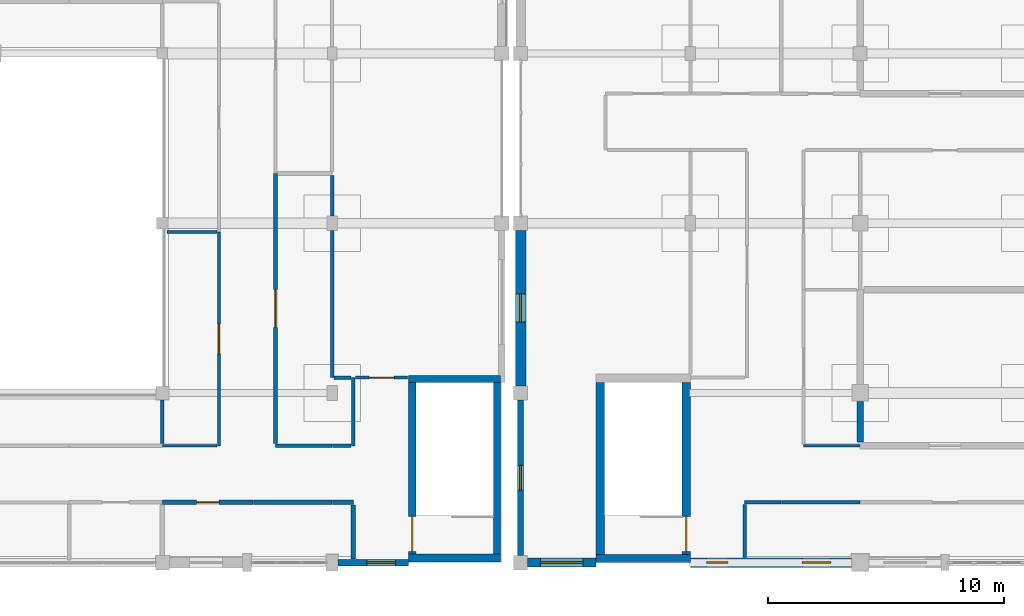
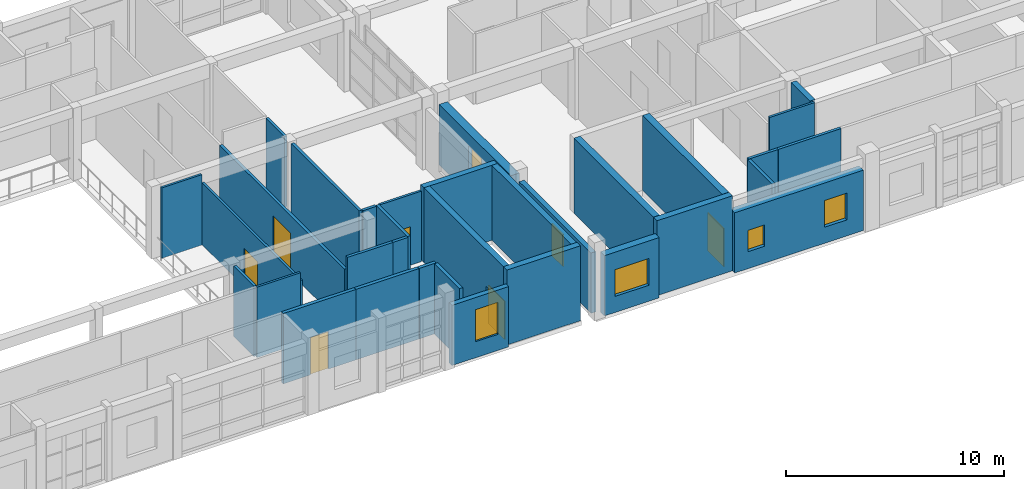
# One storey, part 78 of 110: 33 walls, 6 doors, 6 windows, 12 openings.
"""IFC4 building model written with IfcOpenShell, lengths in metres."""

from ifc_helpers import new_model, si_unit, direction, frame, frame_2d, origin, place, context, subcontext, project, spatial, rectangle, extrude, material, layer, layer_set, type_object, element, fill, save


model = new_model("IFC4")

# Units and contexts
model_context = context("Model", 3, precision=1e-05, world=origin(), true_north=direction((0.0, 1.0)))
body_context = subcontext(model_context, "Body", "Model", "MODEL_VIEW")
ifc_project = project(units=[si_unit("LENGTHUNIT", "METRE"), si_unit("AREAUNIT", "SQUARE_METRE"), si_unit("VOLUMEUNIT", "CUBIC_METRE"), si_unit("PLANEANGLEUNIT", "RADIAN"), si_unit("MASSUNIT", "GRAM", prefix="KILO")], contexts=[model_context])

# Site, building, storey
site_placement = place(None, origin())
site = spatial("IfcSite", under=ifc_project, at=site_placement, CompositionType="ELEMENT")
building_placement = place(site_placement, origin())
building = spatial("IfcBuilding", under=site, at=building_placement, Name="Steenspoor Specialist Clinic", CompositionType="ELEMENT")
storey_placement = place(building_placement, frame((0.0, 0.0, 4.800048828125)))
storey = spatial("IfcBuildingStorey", under=building, at=storey_placement, Name="L01", CompositionType="ELEMENT", Elevation=4.800048828125)

# Wall, opening, window
ifc_material_1 = material(Name="Extruded clay brick masonry", Category="masonry")
ifc_layer_1 = layer(ifc_material_1, 0.3798828125)
ifc_layer_set_1 = layer_set([ifc_layer_1], Name="Extruded clay brick masonry")
wall_type_1 = type_object("IfcWallType", Name="W-BRICK-380", PredefinedType="USERDEFINED", material=ifc_layer_set_1)
wall_1_placement = place(storey_placement, frame((121.199951171875, 13.050048828125, 0.0), z_axis=(0.0, 0.0, 1.0), x_axis=(-1.0, 0.0, 0.0)))
wall_1 = element("IfcWall", 1, at=wall_1_placement, inside=storey, type_object=wall_type_1, Name="Exterior Brick Wall EW-V2-L01-0061", ObjectType="CAVITY VENEER", PredefinedType="USERDEFINED", context=body_context, shape_type="SweptSolid", body=[
    extrude(rectangle(XDim=2.89990234375, YDim=0.3798828125, at=frame_2d((1.449951171875, 0.0))), origin(), (0.0, 0.0, 1.0), 3.3798828125),
])
opening_1_placement = place(wall_1_placement, frame((0.550048828125, 0.0, 0.89990234375)))
opening_1 = element("IfcOpeningElement", 2, at=opening_1_placement, cuts=wall_1, Name="Opening WN-13", PredefinedType="OPENING", context=body_context, shape_type="SweptSolid", body=[
    extrude(rectangle(XDim=1.800048828125, YDim=1.5, at=frame_2d((0.89990234375, 0.75))), frame((0.0, 0.199951171875, 0.0), z_axis=(0.0, -1.0, 0.0), x_axis=(1.0, 0.0, 0.0)), (0.0, 0.0, 1.0), 0.39990234375),
])
ifc_material_2 = material(Name="Thermally broken aluminium and low-emissivity glass", Category="aluminium")
window_type_1 = type_object("IfcWindowType", Name="WN-EXT-180X150", PartitioningType="SINGLE_PANEL", PredefinedType="WINDOW", material=ifc_material_2)
window_1_placement = place(opening_1_placement, origin())
window_1 = element("IfcWindow", 3, at=window_1_placement, inside=storey, type_object=window_type_1, Name="Window 0074", OverallHeight=1.5, OverallWidth=1.800048828125, PartitioningType="SINGLE_PANEL", PredefinedType="WINDOW", context=body_context, shape_type="SweptSolid", body=[
    extrude(rectangle(XDim=1.800048828125, YDim=1.5, at=frame_2d((0.89990234375, 0.75))), frame((0.0, 0.030029296875, 0.0), z_axis=(0.0, -1.0, 0.0), x_axis=(1.0, 0.0, 0.0)), (0.0, 0.0, 1.0), 0.06005859375),
])
fill(opening_1, window_1)

# Wall, openings, windows
ifc_layer_2 = layer(ifc_material_1, 0.409912109375)
ifc_layer_set_2 = layer_set([ifc_layer_2], Name="Extruded clay brick masonry")
wall_type_2 = type_object("IfcWallType", Name="W-BRICK-410", PredefinedType="USERDEFINED", material=ifc_layer_set_2)
wall_2_placement = place(storey_placement, frame((132.02490234375, 13.050048828125, 0.0), z_axis=(0.0, 0.0, 1.0), x_axis=(-1.0, 0.0, 0.0)))
wall_2 = element("IfcWall", 4, at=wall_2_placement, inside=storey, type_object=wall_type_2, Name="Exterior Brick Wall EW-V2-L01-0060", ObjectType="CAVITY VENEER", PredefinedType="USERDEFINED", context=body_context, shape_type="SweptSolid", body=[
    extrude(rectangle(XDim=6.824951171875, YDim=0.409912109375, at=frame_2d((3.41259765625, 0.0))), origin(), (0.0, 0.0, 1.0), 3.3798828125),
])
opening_2_placement = place(wall_2_placement, frame((0.87744140625, 0.0, 0.89990234375)))
opening_2 = element("IfcOpeningElement", 5, at=opening_2_placement, cuts=wall_2, Name="Opening WN-11", PredefinedType="OPENING", context=body_context, shape_type="SweptSolid", body=[
    extrude(rectangle(XDim=1.199951171875, YDim=1.5, at=frame_2d((0.60009765625, 0.75))), frame((0.0, 0.21484375, 0.0), z_axis=(0.0, -1.0, 0.0), x_axis=(1.0, 0.0, 0.0)), (0.0, 0.0, 1.0), 0.429931640625),
])
opening_3_placement = place(wall_2_placement, frame((5.235107421875, 0.0, 0.949951171875)))
opening_3 = element("IfcOpeningElement", 6, at=opening_3_placement, cuts=wall_2, Name="Opening WN-21", PredefinedType="OPENING", context=body_context, shape_type="SweptSolid", body=[
    extrude(rectangle(XDim=0.89990234375, YDim=1.199951171875, at=frame_2d((0.449951171875, 0.60009765625))), frame((0.0, 0.21484375, 0.0), z_axis=(0.0, -1.0, 0.0), x_axis=(1.0, 0.0, 0.0)), (0.0, 0.0, 1.0), 0.429931640625),
])
window_type_2 = type_object("IfcWindowType", Name="WN-EXT-090X120", PartitioningType="SINGLE_PANEL", PredefinedType="WINDOW", material=ifc_material_2)
window_2_placement = place(opening_3_placement, origin())
window_2 = element("IfcWindow", 7, at=window_2_placement, inside=storey, type_object=window_type_2, Name="Window 0073", OverallHeight=1.199951171875, OverallWidth=0.89990234375, PartitioningType="SINGLE_PANEL", PredefinedType="WINDOW", context=body_context, shape_type="SweptSolid", body=[
    extrude(rectangle(XDim=0.89990234375, YDim=1.199951171875, at=frame_2d((0.449951171875, 0.60009765625))), frame((0.0, 0.030029296875, 0.0), z_axis=(0.0, -1.0, 0.0), x_axis=(1.0, 0.0, 0.0)), (0.0, 0.0, 1.0), 0.06005859375),
])
fill(opening_3, window_2)
window_type_3 = type_object("IfcWindowType", Name="WN-EXT-120X150", PartitioningType="SINGLE_PANEL", PredefinedType="WINDOW", material=ifc_material_2)
window_3_placement = place(opening_2_placement, origin())
window_3 = element("IfcWindow", 8, at=window_3_placement, inside=storey, type_object=window_type_3, Name="Window 0072", OverallHeight=1.5, OverallWidth=1.199951171875, PartitioningType="SINGLE_PANEL", PredefinedType="WINDOW", context=body_context, shape_type="SweptSolid", body=[
    extrude(rectangle(XDim=1.199951171875, YDim=1.5, at=frame_2d((0.60009765625, 0.75))), frame((0.0, 0.030029296875, 0.0), z_axis=(0.0, -1.0, 0.0), x_axis=(1.0, 0.0, 0.0)), (0.0, 0.0, 1.0), 0.06005859375),
])
fill(opening_2, window_3)

# Wall, opening, window
ifc_layer_3 = layer(ifc_material_1, 0.43994140625)
ifc_layer_set_3 = layer_set([ifc_layer_3], Name="Extruded clay brick masonry")
wall_type_3 = type_object("IfcWallType", Name="W-BRICK-440", PredefinedType="USERDEFINED", material=ifc_layer_set_3)
wall_3_placement = place(storey_placement, frame((118.0, 20.550048828125, 0.0), z_axis=(0.0, 0.0, 1.0), x_axis=(0.0, 1.0, 0.0)))
wall_3 = element("IfcWall", 9, at=wall_3_placement, inside=storey, type_object=wall_type_3, Name="Exterior Brick Wall EW-V2-L01-0063", ObjectType="CAVITY VENEER", PredefinedType="USERDEFINED", context=body_context, shape_type="SweptSolid", body=[
    extrude(rectangle(XDim=6.599853515625, YDim=0.43994140625, at=frame_2d((3.2998046875, 0.0))), origin(), (0.0, 0.0, 1.0), 3.3798828125),
])
opening_4_placement = place(wall_3_placement, frame((2.699951171875, 0.0, 0.89990234375)))
opening_4 = element("IfcOpeningElement", 10, at=opening_4_placement, cuts=wall_3, Name="Opening WN-05", PredefinedType="OPENING", context=body_context, shape_type="SweptSolid", body=[
    extrude(rectangle(XDim=1.199951171875, YDim=1.800048828125, at=frame_2d((0.60009765625, 0.89990234375))), frame((0.0, 0.22998046875, 0.0), z_axis=(0.0, -1.0, 0.0), x_axis=(1.0, 0.0, 0.0)), (0.0, 0.0, 1.0), 0.4599609375),
])
window_type_4 = type_object("IfcWindowType", Name="WN-EXT-120X180", PartitioningType="SINGLE_PANEL", PredefinedType="WINDOW", material=ifc_material_2)
window_4_placement = place(opening_4_placement, origin())
window_4 = element("IfcWindow", 11, at=window_4_placement, inside=storey, type_object=window_type_4, Name="Window 0076", OverallHeight=1.800048828125, OverallWidth=1.199951171875, PartitioningType="SINGLE_PANEL", PredefinedType="WINDOW", context=body_context, shape_type="SweptSolid", body=[
    extrude(rectangle(XDim=1.199951171875, YDim=1.800048828125, at=frame_2d((0.60009765625, 0.89990234375))), frame((0.0, 0.030029296875, 0.0), z_axis=(0.0, -1.0, 0.0), x_axis=(1.0, 0.0, 0.0)), (0.0, 0.0, 1.0), 0.06005859375),
])
fill(opening_4, window_4)

# Wall
ifc_material_3 = material(Name="Gypsum acoustic clinical partition", Category="gypsum")
ifc_layer_4 = layer(ifc_material_3, 0.14990234375)
ifc_layer_set_4 = layer_set([ifc_layer_4], Name="Gypsum acoustic clinical partition")
wall_type_4 = type_object("IfcWallType", Name="W-CLIN-150", PredefinedType="PARTITIONING", material=ifc_layer_set_4)
wall_4_placement = place(storey_placement, frame((107.60009765625, 18.010009765625, 0.0), z_axis=(0.0, 0.0, 1.0), x_axis=(1.0, 0.0, 0.0)))
element("IfcWall", 12, at=wall_4_placement, inside=storey, type_object=wall_type_4, Name="Interior Partition IW-V1-L01-0799", PredefinedType="PARTITIONING", context=body_context, shape_type="SweptSolid", body=[
    extrude(rectangle(XDim=2.39990234375, YDim=0.14990234375, at=frame_2d((1.199951171875, 0.0))), origin(), (0.0, 0.0, 1.0), 3.949951171875),
])

# Wall, opening, door
wall_5_placement = place(storey_placement, frame((107.60009765625, 18.10009765625, 0.0), z_axis=(0.0, 0.0, 1.0), x_axis=(0.0, 1.0, 0.0)))
wall_5 = element("IfcWall", 13, at=wall_5_placement, inside=storey, type_object=wall_type_4, Name="Interior Partition IW-V1-L01-0800", PredefinedType="PARTITIONING", context=body_context, shape_type="SweptSolid", body=[
    extrude(rectangle(XDim=11.4599609375, YDim=0.14990234375, at=frame_2d((5.72998046875, 0.0))), origin(), (0.0, 0.0, 1.0), 3.219970703125),
])
opening_5_placement = place(wall_5_placement, frame((4.929931640625, 0.0, 0.0)))
opening_5 = element("IfcOpeningElement", 14, at=opening_5_placement, cuts=wall_5, Name="Opening D0063", PredefinedType="OPENING", context=body_context, shape_type="SweptSolid", body=[
    extrude(rectangle(XDim=1.60009765625, YDim=2.25, at=frame_2d((0.800048828125, 1.125))), frame((0.0, 0.0849609375, 0.0), z_axis=(0.0, -1.0, 0.0), x_axis=(1.0, 0.0, 0.0)), (0.0, 0.0, 1.0), 0.169921875),
])
ifc_material_4 = material(Name="Hygienic HPL clinical timber door", Category="wood")
door_type_1 = type_object("IfcDoorType", Name="DT-PROC-160X225", OperationType="NOTDEFINED", PredefinedType="DOOR", material=ifc_material_4)
door_1_placement = place(opening_5_placement, origin())
door_1 = element("IfcDoor", 15, at=door_1_placement, inside=storey, type_object=door_type_1, Name="Clinical Door D0063", OperationType="SINGLE_SWING_RIGHT", OverallHeight=2.25, OverallWidth=1.60009765625, PredefinedType="DOOR", context=body_context, shape_type="SweptSolid", body=[
    extrude(rectangle(XDim=1.60009765625, YDim=2.25, at=frame_2d((0.800048828125, 1.125))), frame((0.0, 0.02490234375, 0.0), z_axis=(0.0, -1.0, 0.0), x_axis=(1.0, 0.0, 0.0)), (0.0, 0.0, 1.0), 0.050048828125),
])
fill(opening_5, door_1)

# Walls
wall_6_placement = place(storey_placement, frame((110.89990234375, 18.010009765625, 0.0), z_axis=(0.0, 0.0, 1.0), x_axis=(0.0, 1.0, 0.0)))
element("IfcWall", 16, at=wall_6_placement, inside=storey, type_object=wall_type_4, Name="Interior Partition IW-V1-L01-0801", PredefinedType="PARTITIONING", context=body_context, shape_type="SweptSolid", body=[
    extrude(rectangle(XDim=2.889892578125, YDim=0.14990234375, at=frame_2d((1.44482421875, 0.0))), origin(), (0.0, 0.0, 1.0), 3.949951171875),
])
wall_7_placement = place(storey_placement, frame((110.014892578125, 18.010009765625, 0.0), z_axis=(0.0, 0.0, 1.0), x_axis=(1.0, 0.0, 0.0)))
element("IfcWall", 17, at=wall_7_placement, inside=storey, type_object=wall_type_4, Name="Interior Partition IW-V1-L01-0802", PredefinedType="PARTITIONING", context=body_context, shape_type="SweptSolid", body=[
    extrude(rectangle(XDim=0.795166015625, YDim=0.14990234375, at=frame_2d((0.3974609375, 0.0))), origin(), (0.0, 0.0, 1.0), 3.949951171875),
])
wall_8_placement = place(storey_placement, frame((127.5, 15.610107421875, 0.0), z_axis=(0.0, 0.0, 1.0), x_axis=(1.0, 0.0, 0.0)))
element("IfcWall", 18, at=wall_8_placement, inside=storey, type_object=wall_type_4, Name="Interior Partition IW-V2-L01-0863", PredefinedType="PARTITIONING", context=body_context, shape_type="SweptSolid", body=[
    extrude(rectangle(XDim=1.550048828125, YDim=0.14990234375, at=frame_2d((0.77490234375, 0.0))), origin(), (0.0, 0.0, 1.0), 3.949951171875),
])
wall_9_placement = place(storey_placement, frame((129.06494140625, 15.610107421875, 0.0), z_axis=(0.0, 0.0, 1.0), x_axis=(1.0, 0.0, 0.0)))
element("IfcWall", 19, at=wall_9_placement, inside=storey, type_object=wall_type_4, Name="Interior Partition IW-V2-L01-0864", PredefinedType="PARTITIONING", context=body_context, shape_type="SweptSolid", body=[
    extrude(rectangle(XDim=3.3349609375, YDim=0.14990234375, at=frame_2d((1.66748046875, 0.0))), origin(), (0.0, 0.0, 1.0), 3.949951171875),
])
wall_10_placement = place(storey_placement, frame((127.5, 13.27001953125, 0.0), z_axis=(0.0, 0.0, 1.0), x_axis=(0.0, 1.0, 0.0)))
element("IfcWall", 20, at=wall_10_placement, inside=storey, type_object=wall_type_4, Name="Interior Partition IW-V2-L01-0866", PredefinedType="PARTITIONING", context=body_context, shape_type="SweptSolid", body=[
    extrude(rectangle(XDim=2.25, YDim=0.14990234375, at=frame_2d((1.125, 0.0))), origin(), (0.0, 0.0, 1.0), 3.949951171875),
])
wall_11_placement = place(storey_placement, frame((110.0, 20.89990234375, 0.0), z_axis=(0.0, 0.0, 1.0), x_axis=(0.0, 1.0, 0.0)))
element("IfcWall", 21, at=wall_11_placement, inside=storey, type_object=wall_type_4, Name="Interior Partition IW-V1-L01-1135", PredefinedType="PARTITIONING", context=body_context, shape_type="SweptSolid", body=[
    extrude(rectangle(XDim=6.235107421875, YDim=0.14990234375, at=frame_2d((3.11767578125, 0.0))), origin(), (0.0, 0.0, 1.0), 3.949951171875),
])
wall_12_placement = place(storey_placement, frame((110.0, 27.764892578125, 0.0), z_axis=(0.0, 0.0, 1.0), x_axis=(0.0, 1.0, 0.0)))
element("IfcWall", 22, at=wall_12_placement, inside=storey, type_object=wall_type_4, Name="Interior Partition IW-V1-L01-1136", PredefinedType="PARTITIONING", context=body_context, shape_type="SweptSolid", body=[
    extrude(rectangle(XDim=1.705078125, YDim=0.14990234375, at=frame_2d((0.8525390625, 0.0))), origin(), (0.0, 0.0, 1.0), 3.949951171875),
])
wall_13_placement = place(storey_placement, frame((110.090087890625, 20.89990234375, 0.0), z_axis=(0.0, 0.0, 1.0), x_axis=(1.0, 0.0, 0.0)))
element("IfcWall", 23, at=wall_13_placement, inside=storey, type_object=wall_type_4, Name="Interior Partition IW-V1-L01-1137", PredefinedType="PARTITIONING", context=body_context, shape_type="SweptSolid", body=[
    extrude(rectangle(XDim=0.719970703125, YDim=0.14990234375, at=frame_2d((0.35986328125, 0.0))), origin(), (0.0, 0.0, 1.0), 3.949951171875),
])
wall_14_placement = place(storey_placement, frame((102.800048828125, 18.10009765625, 0.0), z_axis=(0.0, 0.0, 1.0), x_axis=(0.0, 1.0, 0.0)))
element("IfcWall", 24, at=wall_14_placement, inside=storey, type_object=wall_type_4, Name="Interior Partition IW-V1-L01-1158", PredefinedType="PARTITIONING", context=body_context, shape_type="SweptSolid", body=[
    extrude(rectangle(XDim=1.85986328125, YDim=0.14990234375, at=frame_2d((0.929931640625, 0.0))), origin(), (0.0, 0.0, 1.0), 3.949951171875),
])
ifc_material_5 = material(Name="Concrete C40/50", Category="concrete")
ifc_layer_5 = layer(ifc_material_5, 0.330078125)
ifc_layer_set_5 = layer_set([ifc_layer_5], Name="Concrete C40/50")
wall_type_5 = type_object("IfcWallType", Name="W-ESW-330", PredefinedType="SHEAR", material=ifc_layer_set_5)
wall_15_placement = place(storey_placement, frame((113.25, 13.25, 0.0), z_axis=(0.0, 0.0, 1.0), x_axis=(1.0, 0.0, 0.0)))
element("IfcWall", 25, at=wall_15_placement, inside=storey, type_object=wall_type_5, Name="Core Shear Wall SW-ST-V1B-L01-S", PredefinedType="SHEAR", context=body_context, shape_type="SweptSolid", body=[
    extrude(rectangle(XDim=3.89990234375, YDim=0.330078125, at=frame_2d((1.949951171875, 0.0))), origin(), (0.0, 0.0, 1.0), 4.199951171875),
])
wall_16_placement = place(storey_placement, frame((121.199951171875, 13.22509765625, 0.0), z_axis=(0.0, 0.0, 1.0), x_axis=(1.0, 0.0, 0.0)))
element("IfcWall", 26, at=wall_16_placement, inside=storey, type_object=wall_type_5, Name="Core Shear Wall SW-ST-V2A-L01-S", PredefinedType="SHEAR", context=body_context, shape_type="SweptSolid", body=[
    extrude(rectangle(XDim=4.0, YDim=0.330078125, at=frame_2d((2.0, 0.0))), origin(), (0.0, 0.0, 1.0), 4.199951171875),
])

# Wall, opening, door
ifc_material_6 = material(Name="Gypsum studio partition board", Category="gypsum")
ifc_layer_6 = layer(ifc_material_6, 0.1201171875)
ifc_layer_set_6 = layer_set([ifc_layer_6], Name="Gypsum studio partition board")
wall_type_6 = type_object("IfcWallType", Name="W-PART-120", PredefinedType="PARTITIONING", material=ifc_layer_set_6)
wall_17_placement = place(storey_placement, frame((105.199951171875, 18.010009765625, 0.0), z_axis=(0.0, 0.0, 1.0), x_axis=(0.0, 1.0, 0.0)))
wall_17 = element("IfcWall", 27, at=wall_17_placement, inside=storey, type_object=wall_type_6, Name="Interior Partition IW-V1-L01-0945", PredefinedType="PARTITIONING", context=body_context, shape_type="SweptSolid", body=[
    extrude(rectangle(XDim=9.070068359375, YDim=0.1201171875, at=frame_2d((4.53515625, 0.0))), origin(), (0.0, 0.0, 1.0), 3.469970703125),
])
opening_6_placement = place(wall_17_placement, frame((3.909912109375, 0.0, 0.0)))
opening_6 = element("IfcOpeningElement", 28, at=opening_6_placement, cuts=wall_17, Name="Opening D0062", PredefinedType="OPENING", context=body_context, shape_type="SweptSolid", body=[
    extrude(rectangle(XDim=1.25, YDim=2.14990234375, at=frame_2d((0.625, 1.074951171875))), frame((0.0, 0.070068359375, 0.0), z_axis=(0.0, -1.0, 0.0), x_axis=(1.0, 0.0, 0.0)), (0.0, 0.0, 1.0), 0.14013671875),
])
door_type_2 = type_object("IfcDoorType", Name="DT-EXAM-125X215", OperationType="NOTDEFINED", PredefinedType="DOOR", material=ifc_material_4)
door_2_placement = place(opening_6_placement, origin())
door_2 = element("IfcDoor", 29, at=door_2_placement, inside=storey, type_object=door_type_2, Name="Clinical Door D0062", OperationType="SINGLE_SWING_LEFT", OverallHeight=2.14990234375, OverallWidth=1.25, PredefinedType="DOOR", context=body_context, shape_type="SweptSolid", body=[
    extrude(rectangle(XDim=1.25, YDim=2.14990234375, at=frame_2d((0.625, 1.074951171875))), frame((0.0, 0.02490234375, 0.0), z_axis=(0.0, -1.0, 0.0), x_axis=(1.0, 0.0, 0.0)), (0.0, 0.0, 1.0), 0.050048828125),
])
fill(opening_6, door_2)

# Wall
wall_18_placement = place(storey_placement, frame((102.81494140625, 18.010009765625, 0.0), z_axis=(0.0, 0.0, 1.0), x_axis=(1.0, 0.0, 0.0)))
element("IfcWall", 30, at=wall_18_placement, inside=storey, type_object=wall_type_6, Name="Interior Partition IW-V1-L01-0946", PredefinedType="PARTITIONING", context=body_context, shape_type="SweptSolid", body=[
    extrude(rectangle(XDim=2.31005859375, YDim=0.1201171875, at=frame_2d((1.155029296875, 0.0))), origin(), (0.0, 0.0, 1.0), 3.949951171875),
])

# Wall, opening, door
wall_19_placement = place(storey_placement, frame((110.989990234375, 20.89990234375, 0.0), z_axis=(0.0, 0.0, 1.0), x_axis=(1.0, 0.0, 0.0)))
wall_19 = element("IfcWall", 31, at=wall_19_placement, inside=storey, type_object=wall_type_6, Name="Interior Partition IW-V1-L01-0947", PredefinedType="PARTITIONING", context=body_context, shape_type="SweptSolid", body=[
    extrude(rectangle(XDim=2.2099609375, YDim=0.1201171875, at=frame_2d((1.10498046875, 0.0))), origin(), (0.0, 0.0, 1.0), 3.949951171875),
])
opening_7_placement = place(wall_19_placement, frame((0.580078125, 0.0, 0.0)))
opening_7 = element("IfcOpeningElement", 32, at=opening_7_placement, cuts=wall_19, Name="Opening D0064", PredefinedType="OPENING", context=body_context, shape_type="SweptSolid", body=[
    extrude(rectangle(XDim=1.050048828125, YDim=2.14990234375, at=frame_2d((0.52490234375, 1.074951171875))), frame((0.0, 0.070068359375, 0.0), z_axis=(0.0, -1.0, 0.0), x_axis=(1.0, 0.0, 0.0)), (0.0, 0.0, 1.0), 0.14013671875),
])
ifc_material_7 = material(Name="Solid-core hardwood office door", Category="wood")
door_type_3 = type_object("IfcDoorType", Name="DT-OFF-105X215", OperationType="NOTDEFINED", PredefinedType="DOOR", material=ifc_material_7)
door_3_placement = place(opening_7_placement, origin())
door_3 = element("IfcDoor", 33, at=door_3_placement, inside=storey, type_object=door_type_3, Name="Clinical Door D0064", OperationType="SINGLE_SWING_LEFT", OverallHeight=2.14990234375, OverallWidth=1.050048828125, PredefinedType="DOOR", context=body_context, shape_type="SweptSolid", body=[
    extrude(rectangle(XDim=1.050048828125, YDim=2.14990234375, at=frame_2d((0.52490234375, 1.074951171875))), frame((0.0, 0.02490234375, 0.0), z_axis=(0.0, -1.0, 0.0), x_axis=(1.0, 0.0, 0.0)), (0.0, 0.0, 1.0), 0.050048828125),
])
fill(opening_7, door_3)

# Walls
wall_20_placement = place(storey_placement, frame((130.0, 18.010009765625, 0.0), z_axis=(0.0, 0.0, 1.0), x_axis=(1.0, 0.0, 0.0)))
element("IfcWall", 34, at=wall_20_placement, inside=storey, type_object=wall_type_6, Name="Interior Partition IW-V2-L01-0960", PredefinedType="PARTITIONING", context=body_context, shape_type="SweptSolid", body=[
    extrude(rectangle(XDim=2.385009765625, YDim=0.1201171875, at=frame_2d((1.1923828125, 0.0))), origin(), (0.0, 0.0, 1.0), 3.949951171875),
])
wall_21_placement = place(storey_placement, frame((103.0, 27.080078125, 0.0), z_axis=(0.0, 0.0, 1.0), x_axis=(1.0, 0.0, 0.0)))
element("IfcWall", 35, at=wall_21_placement, inside=storey, type_object=wall_type_6, Name="Interior Partition IW-V1-L01-1215", PredefinedType="PARTITIONING", context=body_context, shape_type="SweptSolid", body=[
    extrude(rectangle(XDim=2.125, YDim=0.1201171875, at=frame_2d((1.0625, 0.0))), origin(), (0.0, 0.0, 1.0), 3.949951171875),
])

# Wall, opening, door
ifc_material_8 = material(Name="Moisture-resistant gypsum plumbing wall", Category="gypsum")
ifc_layer_7 = layer(ifc_material_8, 0.179931640625)
ifc_layer_set_7 = layer_set([ifc_layer_7], Name="Moisture-resistant gypsum plumbing wall")
wall_type_7 = type_object("IfcWallType", Name="W-PLUMB-180", PredefinedType="PLUMBINGWALL", material=ifc_layer_set_7)
wall_22_placement = place(storey_placement, frame((102.800048828125, 15.610107421875, 0.0), z_axis=(0.0, 0.0, 1.0), x_axis=(1.0, 0.0, 0.0)))
wall_22 = element("IfcWall", 36, at=wall_22_placement, inside=storey, type_object=wall_type_7, Name="Interior Partition IW-V1-L01-0740", PredefinedType="PLUMBINGWALL", context=body_context, shape_type="SweptSolid", body=[
    extrude(rectangle(XDim=3.849853515625, YDim=0.179931640625, at=frame_2d((1.9248046875, 0.0))), origin(), (0.0, 0.0, 1.0), 3.949951171875),
])
opening_8_placement = place(wall_22_placement, frame((1.449951171875, 0.0, 0.0)))
opening_8 = element("IfcOpeningElement", 37, at=opening_8_placement, cuts=wall_22, Name="Opening D0058", PredefinedType="OPENING", context=body_context, shape_type="SweptSolid", body=[
    extrude(rectangle(XDim=0.949951171875, YDim=2.10009765625, at=frame_2d((0.47509765625, 1.050048828125))), frame((0.0, 0.10009765625, 0.0), z_axis=(0.0, -1.0, 0.0), x_axis=(1.0, 0.0, 0.0)), (0.0, 0.0, 1.0), 0.199951171875),
])
ifc_material_9 = material(Name="Moisture-resistant HPL sanitary door", Category="wood")
door_type_4 = type_object("IfcDoorType", Name="DT-WC-095X210", OperationType="NOTDEFINED", PredefinedType="DOOR", material=ifc_material_9)
door_4_placement = place(opening_8_placement, origin())
door_4 = element("IfcDoor", 38, at=door_4_placement, inside=storey, type_object=door_type_4, Name="Clinical Door D0058", OperationType="SINGLE_SWING_LEFT", OverallHeight=2.10009765625, OverallWidth=0.949951171875, PredefinedType="DOOR", context=body_context, shape_type="SweptSolid", body=[
    extrude(rectangle(XDim=0.949951171875, YDim=2.10009765625, at=frame_2d((0.47509765625, 1.050048828125))), frame((0.0, 0.02490234375, 0.0), z_axis=(0.0, -1.0, 0.0), x_axis=(1.0, 0.0, 0.0)), (0.0, 0.0, 1.0), 0.050048828125),
])
fill(opening_8, door_4)

# Walls
wall_23_placement = place(storey_placement, frame((106.6650390625, 15.610107421875, 0.0), z_axis=(0.0, 0.0, 1.0), x_axis=(1.0, 0.0, 0.0)))
element("IfcWall", 39, at=wall_23_placement, inside=storey, type_object=wall_type_7, Name="Interior Partition IW-V1-L01-0741", PredefinedType="PLUMBINGWALL", context=body_context, shape_type="SweptSolid", body=[
    extrude(rectangle(XDim=3.3349609375, YDim=0.179931640625, at=frame_2d((1.66748046875, 0.0))), origin(), (0.0, 0.0, 1.0), 3.949951171875),
])
wall_24_placement = place(storey_placement, frame((110.014892578125, 15.610107421875, 0.0), z_axis=(0.0, 0.0, 1.0), x_axis=(1.0, 0.0, 0.0)))
element("IfcWall", 40, at=wall_24_placement, inside=storey, type_object=wall_type_7, Name="Interior Partition IW-V1-L01-0742", PredefinedType="PLUMBINGWALL", context=body_context, shape_type="SweptSolid", body=[
    extrude(rectangle(XDim=0.885009765625, YDim=0.179931640625, at=frame_2d((0.4423828125, 0.0))), origin(), (0.0, 0.0, 1.0), 3.949951171875),
])
wall_25_placement = place(storey_placement, frame((110.89990234375, 13.199951171875, 0.0), z_axis=(0.0, 0.0, 1.0), x_axis=(0.0, 1.0, 0.0)))
element("IfcWall", 41, at=wall_25_placement, inside=storey, type_object=wall_type_7, Name="Interior Partition IW-V1-L01-0743", PredefinedType="PLUMBINGWALL", context=body_context, shape_type="SweptSolid", body=[
    extrude(rectangle(XDim=2.304931640625, YDim=0.179931640625, at=frame_2d((1.15234375, 0.0))), origin(), (0.0, 0.0, 1.0), 3.949951171875),
])
ifc_material_10 = material(Name="Lead-lined radiation brick partition", Category="masonry")
ifc_layer_8 = layer(ifc_material_10, 0.280029296875)
ifc_layer_set_8 = layer_set([ifc_layer_8], Name="Lead-lined radiation brick partition")
wall_type_8 = type_object("IfcWallType", Name="W-RAD-280", PredefinedType="PARTITIONING", material=ifc_layer_set_8)
wall_26_placement = place(storey_placement, frame((132.39990234375, 18.1650390625, 0.0), z_axis=(0.0, 0.0, 1.0), x_axis=(0.0, 1.0, 0.0)))
element("IfcWall", 42, at=wall_26_placement, inside=storey, type_object=wall_type_8, Name="Interior Partition IW-V2-L01-1028", PredefinedType="PARTITIONING", context=body_context, shape_type="SweptSolid", body=[
    extrude(rectangle(XDim=1.719970703125, YDim=0.280029296875, at=frame_2d((0.85986328125, 0.0))), origin(), (0.0, 0.0, 1.0), 3.949951171875),
])

# Wall, opening, window
ifc_layer_9 = layer(ifc_material_1, 0.260009765625)
ifc_layer_set_9 = layer_set([ifc_layer_9], Name="Extruded clay brick masonry")
wall_type_9 = type_object("IfcWallType", Name="W-SCREEN-260", PredefinedType="SOLIDWALL", material=ifc_layer_set_9)
wall_27_placement = place(storey_placement, frame((113.25, 13.050048828125, 0.0), z_axis=(0.0, 0.0, 1.0), x_axis=(-1.0, 0.0, 0.0)))
wall_27 = element("IfcWall", 43, at=wall_27_placement, inside=storey, type_object=wall_type_9, Name="Exterior Brick Wall EW-V1-L01-0018", PredefinedType="SOLIDWALL", context=body_context, shape_type="SweptSolid", body=[
    extrude(rectangle(XDim=3.0, YDim=0.260009765625, at=frame_2d((1.5, 0.0))), origin(), (0.0, 0.0, 1.0), 3.3798828125),
])
opening_9_placement = place(wall_27_placement, frame((0.56494140625, 0.0, 0.89990234375)))
opening_9 = element("IfcOpeningElement", 44, at=opening_9_placement, cuts=wall_27, Name="Opening WN-05", PredefinedType="OPENING", context=body_context, shape_type="SweptSolid", body=[
    extrude(rectangle(XDim=1.199951171875, YDim=1.800048828125, at=frame_2d((0.60009765625, 0.89990234375))), frame((0.0, 0.14013671875, 0.0), z_axis=(0.0, -1.0, 0.0), x_axis=(1.0, 0.0, 0.0)), (0.0, 0.0, 1.0), 0.280029296875),
])
window_5_placement = place(opening_9_placement, origin())
window_5 = element("IfcWindow", 45, at=window_5_placement, inside=storey, type_object=window_type_4, Name="Window 0020", OverallHeight=1.800048828125, OverallWidth=1.199951171875, PartitioningType="SINGLE_PANEL", PredefinedType="WINDOW", context=body_context, shape_type="SweptSolid", body=[
    extrude(rectangle(XDim=1.199951171875, YDim=1.800048828125, at=frame_2d((0.60009765625, 0.89990234375))), frame((0.0, 0.030029296875, 0.0), z_axis=(0.0, -1.0, 0.0), x_axis=(1.0, 0.0, 0.0)), (0.0, 0.0, 1.0), 0.06005859375),
])
fill(opening_9, window_5)

wall_28_placement = place(storey_placement, frame((118.0, 13.35009765625, 0.0), z_axis=(0.0, 0.0, 1.0), x_axis=(0.0, 1.0, 0.0)))
wall_28 = element("IfcWall", 46, at=wall_28_placement, inside=storey, type_object=wall_type_9, Name="Exterior Brick Wall EW-V2-L01-0062", PredefinedType="SOLIDWALL", context=body_context, shape_type="SweptSolid", body=[
    extrude(rectangle(XDim=6.599853515625, YDim=0.260009765625, at=frame_2d((3.2998046875, 0.0))), origin(), (0.0, 0.0, 1.0), 3.3798828125),
])
opening_10_placement = place(wall_28_placement, frame((2.77490234375, 0.0, 0.89990234375)))
opening_10 = element("IfcOpeningElement", 47, at=opening_10_placement, cuts=wall_28, Name="Opening WN-04", PredefinedType="OPENING", context=body_context, shape_type="SweptSolid", body=[
    extrude(rectangle(XDim=1.050048828125, YDim=1.800048828125, at=frame_2d((0.52490234375, 0.89990234375))), frame((0.0, 0.14013671875, 0.0), z_axis=(0.0, -1.0, 0.0), x_axis=(1.0, 0.0, 0.0)), (0.0, 0.0, 1.0), 0.280029296875),
])
window_type_5 = type_object("IfcWindowType", Name="WN-EXT-105X180", PartitioningType="SINGLE_PANEL", PredefinedType="WINDOW", material=ifc_material_2)
window_6_placement = place(opening_10_placement, origin())
window_6 = element("IfcWindow", 48, at=window_6_placement, inside=storey, type_object=window_type_5, Name="Window 0075", OverallHeight=1.800048828125, OverallWidth=1.050048828125, PartitioningType="SINGLE_PANEL", PredefinedType="WINDOW", context=body_context, shape_type="SweptSolid", body=[
    extrude(rectangle(XDim=1.050048828125, YDim=1.800048828125, at=frame_2d((0.52490234375, 0.89990234375))), frame((0.0, 0.030029296875, 0.0), z_axis=(0.0, -1.0, 0.0), x_axis=(1.0, 0.0, 0.0)), (0.0, 0.0, 1.0), 0.06005859375),
])
fill(opening_10, window_6)

# Wall
ifc_layer_10 = layer(ifc_material_5, 0.300048828125)
ifc_layer_set_10 = layer_set([ifc_layer_10], Name="Concrete C40/50")
wall_type_10 = type_object("IfcWallType", Name="W-SW-300", PredefinedType="SHEAR", material=ifc_layer_set_10)
wall_29_placement = place(storey_placement, frame((113.25, 20.85009765625, 0.0), z_axis=(0.0, 0.0, 1.0), x_axis=(1.0, 0.0, 0.0)))
element("IfcWall", 49, at=wall_29_placement, inside=storey, type_object=wall_type_10, Name="Core Shear Wall SW-ST-V1B-L01-N", PredefinedType="SHEAR", context=body_context, shape_type="SweptSolid", body=[
    extrude(rectangle(XDim=3.89990234375, YDim=0.300048828125, at=frame_2d((1.949951171875, 0.0))), origin(), (0.0, 0.0, 1.0), 4.199951171875),
])

# Wall, opening, door
wall_30_placement = place(storey_placement, frame((113.39990234375, 13.39990234375, 0.0), z_axis=(0.0, 0.0, 1.0), x_axis=(0.0, 1.0, 0.0)))
wall_30 = element("IfcWall", 50, at=wall_30_placement, inside=storey, type_object=wall_type_10, Name="Core Shear Wall SW-ST-V1B-L01-W", PredefinedType="SHEAR", context=body_context, shape_type="SweptSolid", body=[
    extrude(rectangle(XDim=7.300048828125, YDim=0.300048828125, at=frame_2d((3.64990234375, 0.0))), origin(), (0.0, 0.0, 1.0), 4.199951171875),
])
opening_11_placement = place(wall_30_placement, frame((0.1201171875, 0.0, 0.0)))
opening_11 = element("IfcOpeningElement", 51, at=opening_11_placement, cuts=wall_30, Name="Opening SD004", PredefinedType="OPENING", context=body_context, shape_type="SweptSolid", body=[
    extrude(rectangle(XDim=1.5, YDim=2.14990234375, at=frame_2d((0.75, 1.074951171875))), frame((0.0, 0.16015625, 0.0), z_axis=(0.0, -1.0, 0.0), x_axis=(1.0, 0.0, 0.0)), (0.0, 0.0, 1.0), 0.320068359375),
])
ifc_material_11 = material(Name="Fire-rated steel acoustic door", Category="steel")
door_type_5 = type_object("IfcDoorType", Name="DT-STAIR-150X215", OperationType="NOTDEFINED", PredefinedType="DOOR", material=ifc_material_11)
door_5_placement = place(opening_11_placement, origin())
door_5 = element("IfcDoor", 52, at=door_5_placement, inside=storey, type_object=door_type_5, Name="Exit Stair Fire Door SD004", OperationType="SINGLE_SWING_LEFT", OverallHeight=2.14990234375, OverallWidth=1.5, PredefinedType="DOOR", context=body_context, shape_type="SweptSolid", body=[
    extrude(rectangle(XDim=1.5, YDim=2.14990234375, at=frame_2d((0.75, 1.074951171875))), frame((0.0, 0.02490234375, 0.0), z_axis=(0.0, -1.0, 0.0), x_axis=(1.0, 0.0, 0.0)), (0.0, 0.0, 1.0), 0.050048828125),
])
fill(opening_11, door_5)

# Walls
wall_31_placement = place(storey_placement, frame((117.0, 13.39990234375, 0.0), z_axis=(0.0, 0.0, 1.0), x_axis=(0.0, 1.0, 0.0)))
element("IfcWall", 53, at=wall_31_placement, inside=storey, type_object=wall_type_10, Name="Core Shear Wall SW-ST-V1B-L01-E", PredefinedType="SHEAR", context=body_context, shape_type="SweptSolid", body=[
    extrude(rectangle(XDim=7.300048828125, YDim=0.300048828125, at=frame_2d((3.64990234375, 0.0))), origin(), (0.0, 0.0, 1.0), 4.199951171875),
])
ifc_layer_11 = layer(ifc_material_5, 0.35009765625)
ifc_layer_set_11 = layer_set([ifc_layer_11], Name="Concrete C40/50")
wall_type_11 = type_object("IfcWallType", Name="W-SW-350", PredefinedType="SHEAR", material=ifc_layer_set_11)
wall_32_placement = place(storey_placement, frame((121.375, 13.39990234375, 0.0), z_axis=(0.0, 0.0, 1.0), x_axis=(0.0, 1.0, 0.0)))
element("IfcWall", 54, at=wall_32_placement, inside=storey, type_object=wall_type_11, Name="Core Shear Wall SW-ST-V2A-L01-W", PredefinedType="SHEAR", context=body_context, shape_type="SweptSolid", body=[
    extrude(rectangle(XDim=7.300048828125, YDim=0.35009765625, at=frame_2d((3.64990234375, 0.0))), origin(), (0.0, 0.0, 1.0), 4.199951171875),
])

# Wall, opening, door
wall_33_placement = place(storey_placement, frame((125.02490234375, 13.39990234375, 0.0), z_axis=(0.0, 0.0, 1.0), x_axis=(0.0, 1.0, 0.0)))
wall_33 = element("IfcWall", 55, at=wall_33_placement, inside=storey, type_object=wall_type_11, Name="Core Shear Wall SW-ST-V2A-L01-E", PredefinedType="SHEAR", context=body_context, shape_type="SweptSolid", body=[
    extrude(rectangle(XDim=7.300048828125, YDim=0.35009765625, at=frame_2d((3.64990234375, 0.0))), origin(), (0.0, 0.0, 1.0), 4.199951171875),
])
opening_12_placement = place(wall_33_placement, frame((0.1201171875, 0.0, 0.0)))
opening_12 = element("IfcOpeningElement", 56, at=opening_12_placement, cuts=wall_33, Name="Opening SD006", PredefinedType="OPENING", context=body_context, shape_type="SweptSolid", body=[
    extrude(rectangle(XDim=1.5, YDim=2.14990234375, at=frame_2d((0.75, 1.074951171875))), frame((0.0, 0.18505859375, 0.0), z_axis=(0.0, -1.0, 0.0), x_axis=(1.0, 0.0, 0.0)), (0.0, 0.0, 1.0), 0.3701171875),
])
door_6_placement = place(opening_12_placement, origin())
door_6 = element("IfcDoor", 57, at=door_6_placement, inside=storey, type_object=door_type_5, Name="Exit Stair Fire Door SD006", OperationType="SINGLE_SWING_LEFT", OverallHeight=2.14990234375, OverallWidth=1.5, PredefinedType="DOOR", context=body_context, shape_type="SweptSolid", body=[
    extrude(rectangle(XDim=1.5, YDim=2.14990234375, at=frame_2d((0.75, 1.074951171875))), frame((0.0, 0.02490234375, 0.0), z_axis=(0.0, -1.0, 0.0), x_axis=(1.0, 0.0, 0.0)), (0.0, 0.0, 1.0), 0.050048828125),
])
fill(opening_12, door_6)

save(model, "model.ifc")
